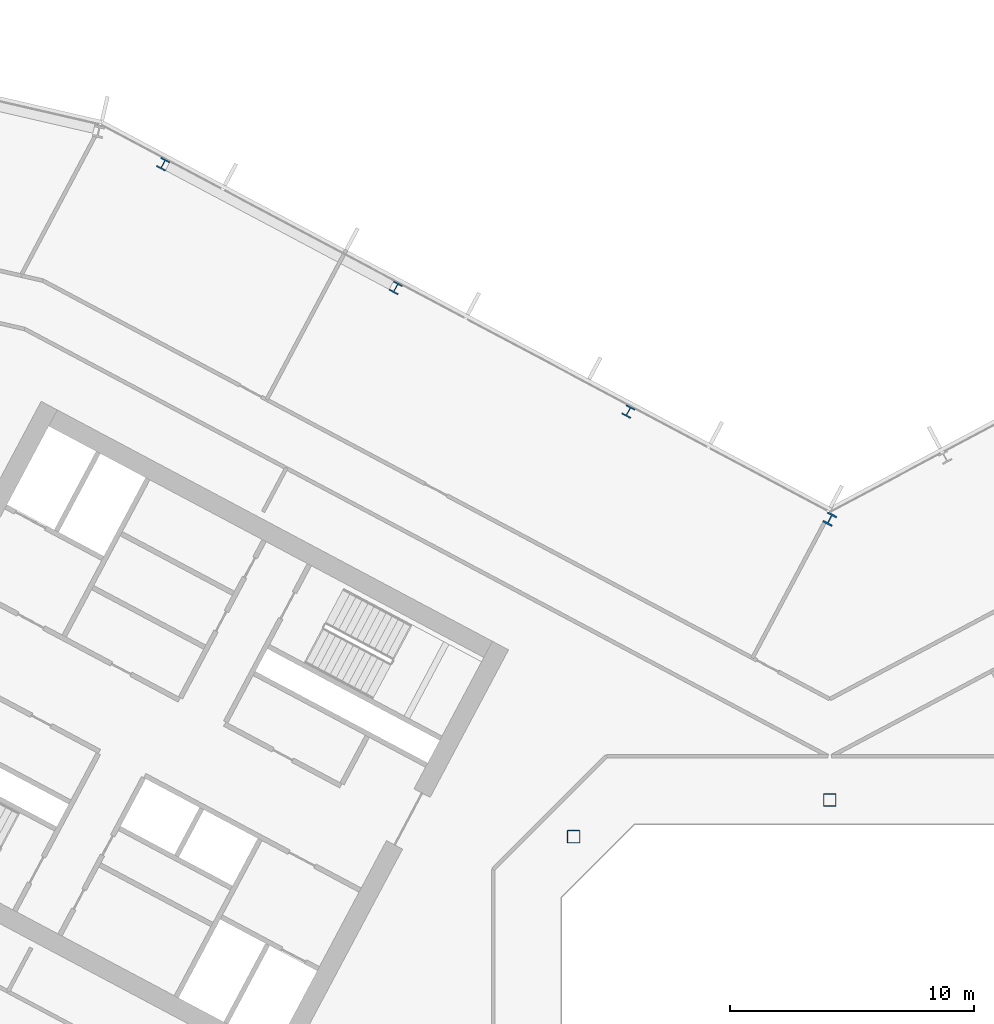
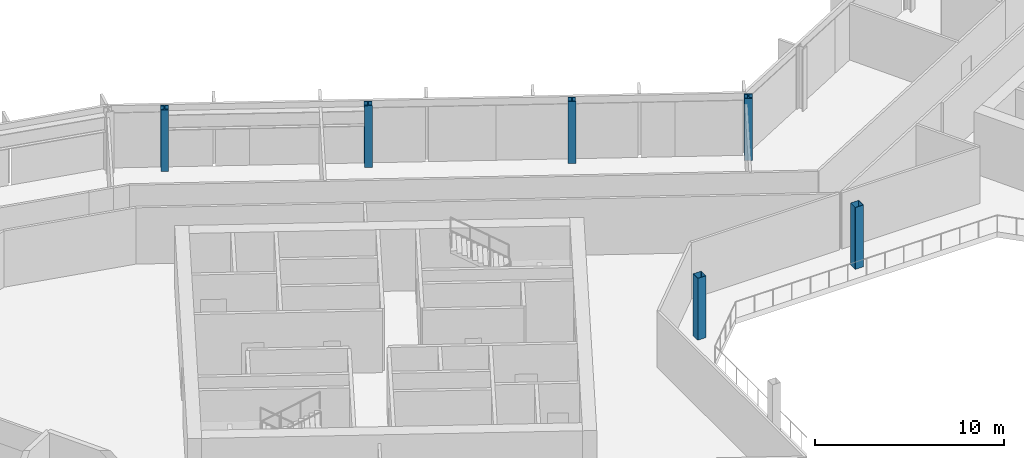
# One storey, part 4 of 28: 6 columns.
"""IFC4 building model written with IfcOpenShell, lengths in metres."""

from ifc_helpers import new_model, si_unit, direction, frame, origin, origin_2d, place, context, subcontext, project, spatial, hollow_rectangle, i_section, extrude, material, material_profile, profile_set, type_object, element, save


model = new_model("IFC4")

# Units and contexts
model_context = context("Model", 3, precision=1e-05, world=origin(), true_north=direction((0.0, 1.0)))
body_context = subcontext(model_context, "Body", "Model", "MODEL_VIEW")
ifc_project = project(units=[si_unit("LENGTHUNIT", "METRE"), si_unit("AREAUNIT", "SQUARE_METRE"), si_unit("VOLUMEUNIT", "CUBIC_METRE"), si_unit("PLANEANGLEUNIT", "RADIAN"), si_unit("MASSUNIT", "GRAM", prefix="KILO")], contexts=[model_context])

# Site, building, storey
site_placement = place(None, origin())
site = spatial("IfcSite", under=ifc_project, at=site_placement, CompositionType="ELEMENT")
building_placement = place(site_placement, origin())
building = spatial("IfcBuilding", under=site, at=building_placement, Name="Cormorant Relay Tower", CompositionType="ELEMENT")
storey_placement = place(building_placement, frame((0.0, 0.0, 134.199951171875)))
storey = spatial("IfcBuildingStorey", under=building, at=storey_placement, Name="L27", CompositionType="ELEMENT", Elevation=134.199951171875)

# Columns
ifc_material_1 = material(Name="Steel ASTM A500 Grade C (Fy 345 MPa)", Category="steel")
ifc_material_profile_1 = material_profile(ifc_material_1, hollow_rectangle(XDim=0.508056640625, YDim=0.508056640625, WallThickness=0.01171875, InnerFilletRadius=0.005859375, OuterFilletRadius=0.017822265625, at=origin_2d()), Name="HSS508x508x12")
ifc_profile_set_1 = profile_set([ifc_material_profile_1], Name="Steel ASTM A500 Grade C (Fy 345 MPa)")
column_type_1 = type_object("IfcColumnType", Name="Column HSS508x508x12", PredefinedType="COLUMN", material=ifc_profile_set_1)
for number, where, z_axis, x_axis, name in (
    (1, (-10.5, 10.5, 0.0), (0.0, 0.0, 1.0), (1.0, 0.0, 0.0), "Column L27-023"),
    (2, (0.0, 12.0, 0.0), (0.0, 0.0, 1.0), (1.0, 0.0, 0.0), "Column L27-025"),
):
    element("IfcColumn", number, at=place(storey_placement, frame(where, z_axis=z_axis, x_axis=x_axis)), inside=storey, type_object=column_type_1, Name=name, PredefinedType="COLUMN", context=body_context, shape_type="SweptSolid", body=[
        extrude(hollow_rectangle(XDim=0.508056640625, YDim=0.508056640625, WallThickness=0.01171875, InnerFilletRadius=0.005859375, OuterFilletRadius=0.017822265625, at=origin_2d()), origin(), (0.0, 0.0, 1.0), 4.0),
    ])
ifc_material_2 = material(Name="Steel ASTM A992 (Fy 345 MPa)", Category="steel")
ifc_material_profile_2 = material_profile(ifc_material_2, i_section(OverallWidth=0.41162109375, OverallDepth=0.434326171875, WebThickness=0.035888671875, FlangeThickness=0.057373046875, FilletRadius=0.01513671875, at=origin_2d()), Name="W360x463")
ifc_profile_set_2 = profile_set([ifc_material_profile_2], Name="Steel ASTM A992 (Fy 345 MPa)")
column_type_2 = type_object("IfcColumnType", Name="Column W360x463", PredefinedType="COLUMN", material=ifc_profile_set_2)
for number, where, z_axis, x_axis, name in (
    (3, (-8.257080078125, 27.925048828125, 0.0), (0.0, 0.0, 1.0), (-0.882947592859, 0.469471562786, 0.0), "Column L27-036"),
    (4, (-17.7919921875, 32.9951171875, 0.0), (0.0, 0.0, 1.0), (-0.882947592859, 0.469471562786, 0.0), "Column L27-040"),
    (5, (-27.327880859375, 38.06494140625, 0.0), (0.0, 0.0, 1.0), (-0.882947592859, 0.469471562786, 0.0), "Column L27-044"),
):
    element("IfcColumn", number, at=place(storey_placement, frame(where, z_axis=z_axis, x_axis=x_axis)), inside=storey, type_object=column_type_2, Name=name, PredefinedType="COLUMN", context=body_context, shape_type="SweptSolid", body=[
        extrude(i_section(OverallWidth=0.41162109375, OverallDepth=0.434326171875, WebThickness=0.035888671875, FlangeThickness=0.057373046875, FilletRadius=0.01513671875, at=origin_2d()), origin(), (0.0, 0.0, 1.0), 4.0),
    ])
ifc_material_3 = material(Name="Steel ASTM A992 (Fy 345 MPa)", Category="steel")
ifc_material_profile_3 = material_profile(ifc_material_3, i_section(OverallWidth=0.42431640625, OverallDepth=0.47509765625, WebThickness=0.0478515625, FlangeThickness=0.0771484375, FilletRadius=0.014892578125, at=origin_2d()), Name="W360x634")
ifc_profile_set_3 = profile_set([ifc_material_profile_3], Name="Steel ASTM A992 (Fy 345 MPa)")
column_type_3 = type_object("IfcColumnType", Name="Column W360x634", PredefinedType="COLUMN", material=ifc_profile_set_3)
column_placement = place(storey_placement, frame((0.0, 23.513916015625, 0.0), z_axis=(0.0, 0.0, 1.0), x_axis=(-0.882947592859, 0.469471562786, 0.0)))
element("IfcColumn", 6, at=column_placement, inside=storey, type_object=column_type_3, Name="Column L27-032", PredefinedType="COLUMN", context=body_context, shape_type="SweptSolid", body=[
    extrude(i_section(OverallWidth=0.42431640625, OverallDepth=0.47509765625, WebThickness=0.0478515625, FlangeThickness=0.0771484375, FilletRadius=0.014892578125, at=origin_2d()), origin(), (0.0, 0.0, 1.0), 4.0),
])

save(model, "model.ifc")
